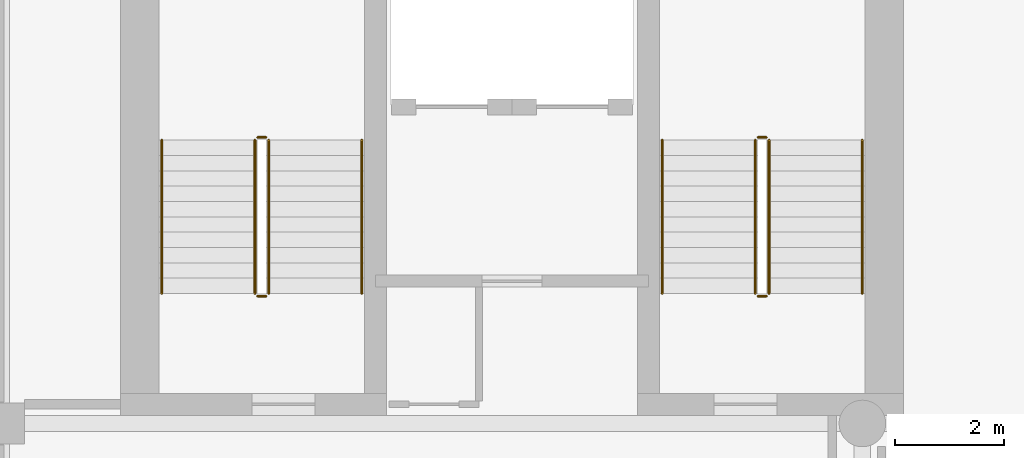
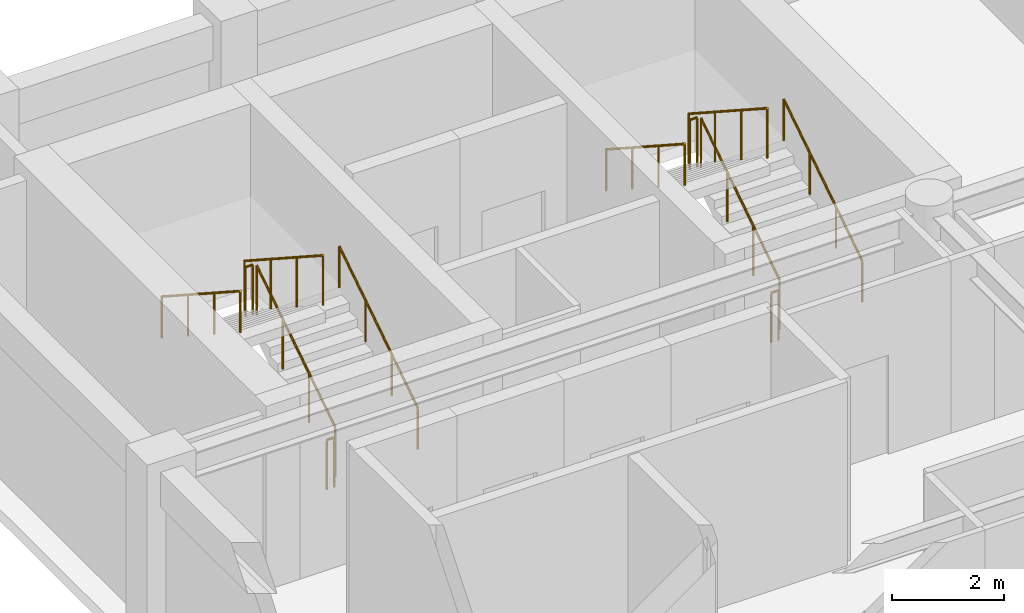
# One storey, part 7 of 8: 12 railings.
"""IFC4 building model written with IfcOpenShell, lengths in metres."""

from ifc_helpers import new_model, si_unit, direction, frame, origin, origin_2d, place, context, subcontext, project, spatial, circle, extrude, material, type_object, element, save


model = new_model("IFC4")

# Units and contexts
model_context = context("Model", 3, precision=1e-05, world=origin(), true_north=direction((0.0, 1.0)))
body_context = subcontext(model_context, "Body", "Model", "MODEL_VIEW")
ifc_project = project(units=[si_unit("LENGTHUNIT", "METRE"), si_unit("AREAUNIT", "SQUARE_METRE"), si_unit("VOLUMEUNIT", "CUBIC_METRE"), si_unit("PLANEANGLEUNIT", "RADIAN"), si_unit("MASSUNIT", "GRAM", prefix="KILO")], contexts=[model_context])

# Site, building, storey
site_placement = place(None, origin())
site = spatial("IfcSite", under=ifc_project, at=site_placement, CompositionType="ELEMENT")
building_placement = place(site_placement, origin())
building = spatial("IfcBuilding", under=site, at=building_placement, Name="Sulina Concourse Tower", CompositionType="ELEMENT")
storey_placement = place(building_placement, frame((0.0, 0.0, 264.60009765625)))
storey = spatial("IfcBuildingStorey", under=building, at=storey_placement, Name="L64", CompositionType="ELEMENT", Elevation=264.60009765625)

# Railings
ifc_material_1 = material(Name="Galvanised steel railing", Category="steel")
railing_type_1 = type_object("IfcRailingType", Name="Core Stair Steel Guardrail 1150mm", PredefinedType="GUARDRAIL", material=ifc_material_1)
railing_1_placement = place(storey_placement, frame((5.554931640625, 36.375, 0.181640625)))
element("IfcRailing", 1, at=railing_1_placement, inside=storey, type_object=railing_type_1, Name="L64 ST-1 stair guard 1", PredefinedType="GUARDRAIL", context=body_context, shape_type="SweptSolid", body=[
    extrude(circle(Radius=0.02392578125, at=origin_2d()), frame((0.0, 0.0, 1.076171875), z_axis=(0.0, 0.838672427954, 0.544636170843), x_axis=(-1.0, 0.0, 0.0)), (0.0, 0.0, 1.0), 3.338623046875),
    extrude(circle(Radius=0.02099609375, at=origin_2d()), origin(), (0.0, 0.0, 1.0), 1.052001953125),
    extrude(circle(Radius=0.02099609375, at=origin_2d()), frame((0.0, 0.933349609375, 0.606201171875)), (0.0, 0.0, 1.0), 1.052001953125),
    extrude(circle(Radius=0.02099609375, at=origin_2d()), frame((0.0, 1.86669921875, 1.212158203125)), (0.0, 0.0, 1.0), 1.052001953125),
    extrude(circle(Radius=0.02099609375, at=origin_2d()), frame((0.0, 2.800048828125, 1.818359375)), (0.0, 0.0, 1.0), 1.052001953125),
])
railing_2_placement = place(storey_placement, frame((5.5048828125, 39.22509765625, 2.0)))
element("IfcRailing", 2, at=railing_2_placement, inside=storey, type_object=railing_type_1, Name="L64 ST-1 stair guard 2", PredefinedType="GUARDRAIL", context=body_context, shape_type="SweptSolid", body=[
    extrude(circle(Radius=0.02392578125, at=origin_2d()), frame((0.0, 0.0, 1.076171875), z_axis=(-1.0, 0.0, 0.0), x_axis=(0.0, -1.0, 0.0)), (0.0, 0.0, 1.0), 0.14990234375),
    extrude(circle(Radius=0.02099609375, at=origin_2d()), origin(), (0.0, 0.0, 1.0), 1.052001953125),
    extrude(circle(Radius=0.02099609375, at=origin_2d()), frame((-0.14990234375, 0.0, 0.0)), (0.0, 0.0, 1.0), 1.052001953125),
])
railing_3_placement = place(storey_placement, frame((5.304931640625, 39.175048828125, 2.181640625)))
element("IfcRailing", 3, at=railing_3_placement, inside=storey, type_object=railing_type_1, Name="L64 ST-1 stair guard 3", PredefinedType="GUARDRAIL", context=body_context, shape_type="SweptSolid", body=[
    extrude(circle(Radius=0.02392578125, at=origin_2d()), frame((0.0, 0.0, 1.076171875), z_axis=(0.0, -0.838672427954, 0.544636170843), x_axis=(1.0, 0.0, 0.0)), (0.0, 0.0, 1.0), 3.338623046875),
    extrude(circle(Radius=0.02099609375, at=origin_2d()), origin(), (0.0, 0.0, 1.0), 1.052001953125),
    extrude(circle(Radius=0.02099609375, at=origin_2d()), frame((0.0, -0.933349609375, 0.606201171875)), (0.0, 0.0, 1.0), 1.052001953125),
    extrude(circle(Radius=0.02099609375, at=origin_2d()), frame((0.0, -1.86669921875, 1.212158203125)), (0.0, 0.0, 1.0), 1.052001953125),
    extrude(circle(Radius=0.02099609375, at=origin_2d()), frame((0.0, -2.800048828125, 1.818359375)), (0.0, 0.0, 1.0), 1.052001953125),
])
railing_4_placement = place(storey_placement, frame((5.5048828125, 36.324951171875, 0.0)))
element("IfcRailing", 4, at=railing_4_placement, inside=storey, type_object=railing_type_1, Name="L64 ST-1 stair guard 4", PredefinedType="GUARDRAIL", context=body_context, shape_type="SweptSolid", body=[
    extrude(circle(Radius=0.02392578125, at=origin_2d()), frame((0.0, 0.0, 1.076171875), z_axis=(-1.0, 0.0, 0.0), x_axis=(0.0, -1.0, 0.0)), (0.0, 0.0, 1.0), 0.14990234375),
    extrude(circle(Radius=0.02099609375, at=origin_2d()), origin(), (0.0, 0.0, 1.0), 1.052001953125),
    extrude(circle(Radius=0.02099609375, at=origin_2d()), frame((-0.14990234375, 0.0, 0.0)), (0.0, 0.0, 1.0), 1.052001953125),
])
railing_5_placement = place(storey_placement, frame((14.695068359375, 36.375, 0.181640625)))
element("IfcRailing", 5, at=railing_5_placement, inside=storey, type_object=railing_type_1, Name="L64 ST-2 stair guard 1", PredefinedType="GUARDRAIL", context=body_context, shape_type="SweptSolid", body=[
    extrude(circle(Radius=0.02392578125, at=origin_2d()), frame((0.0, 0.0, 1.076171875), z_axis=(0.0, 0.838672427954, 0.544636170843), x_axis=(-1.0, 0.0, 0.0)), (0.0, 0.0, 1.0), 3.338623046875),
    extrude(circle(Radius=0.02099609375, at=origin_2d()), origin(), (0.0, 0.0, 1.0), 1.052001953125),
    extrude(circle(Radius=0.02099609375, at=origin_2d()), frame((0.0, 0.933349609375, 0.606201171875)), (0.0, 0.0, 1.0), 1.052001953125),
    extrude(circle(Radius=0.02099609375, at=origin_2d()), frame((0.0, 1.86669921875, 1.212158203125)), (0.0, 0.0, 1.0), 1.052001953125),
    extrude(circle(Radius=0.02099609375, at=origin_2d()), frame((0.0, 2.800048828125, 1.818359375)), (0.0, 0.0, 1.0), 1.052001953125),
])
railing_6_placement = place(storey_placement, frame((14.64501953125, 39.22509765625, 2.0)))
element("IfcRailing", 6, at=railing_6_placement, inside=storey, type_object=railing_type_1, Name="L64 ST-2 stair guard 2", PredefinedType="GUARDRAIL", context=body_context, shape_type="SweptSolid", body=[
    extrude(circle(Radius=0.02392578125, at=origin_2d()), frame((0.0, 0.0, 1.076171875), z_axis=(-1.0, 0.0, 0.0), x_axis=(0.0, -1.0, 0.0)), (0.0, 0.0, 1.0), 0.14990234375),
    extrude(circle(Radius=0.02099609375, at=origin_2d()), origin(), (0.0, 0.0, 1.0), 1.052001953125),
    extrude(circle(Radius=0.02099609375, at=origin_2d()), frame((-0.14990234375, 0.0, 0.0)), (0.0, 0.0, 1.0), 1.052001953125),
])
railing_7_placement = place(storey_placement, frame((14.445068359375, 39.175048828125, 2.181640625)))
element("IfcRailing", 7, at=railing_7_placement, inside=storey, type_object=railing_type_1, Name="L64 ST-2 stair guard 3", PredefinedType="GUARDRAIL", context=body_context, shape_type="SweptSolid", body=[
    extrude(circle(Radius=0.02392578125, at=origin_2d()), frame((0.0, 0.0, 1.076171875), z_axis=(0.0, -0.838672427954, 0.544636170843), x_axis=(1.0, 0.0, 0.0)), (0.0, 0.0, 1.0), 3.338623046875),
    extrude(circle(Radius=0.02099609375, at=origin_2d()), origin(), (0.0, 0.0, 1.0), 1.052001953125),
    extrude(circle(Radius=0.02099609375, at=origin_2d()), frame((0.0, -0.933349609375, 0.606201171875)), (0.0, 0.0, 1.0), 1.052001953125),
    extrude(circle(Radius=0.02099609375, at=origin_2d()), frame((0.0, -1.86669921875, 1.212158203125)), (0.0, 0.0, 1.0), 1.052001953125),
    extrude(circle(Radius=0.02099609375, at=origin_2d()), frame((0.0, -2.800048828125, 1.818359375)), (0.0, 0.0, 1.0), 1.052001953125),
])
railing_8_placement = place(storey_placement, frame((14.64501953125, 36.324951171875, 0.0)))
element("IfcRailing", 8, at=railing_8_placement, inside=storey, type_object=railing_type_1, Name="L64 ST-2 stair guard 4", PredefinedType="GUARDRAIL", context=body_context, shape_type="SweptSolid", body=[
    extrude(circle(Radius=0.02392578125, at=origin_2d()), frame((0.0, 0.0, 1.076171875), z_axis=(-1.0, 0.0, 0.0), x_axis=(0.0, -1.0, 0.0)), (0.0, 0.0, 1.0), 0.14990234375),
    extrude(circle(Radius=0.02099609375, at=origin_2d()), origin(), (0.0, 0.0, 1.0), 1.052001953125),
    extrude(circle(Radius=0.02099609375, at=origin_2d()), frame((-0.14990234375, 0.0, 0.0)), (0.0, 0.0, 1.0), 1.052001953125),
])
ifc_material_2 = material(Name="Galvanised steel railing", Category="steel")
railing_type_2 = type_object("IfcRailingType", Name="Stair Wall Steel Handrail 920mm", PredefinedType="HANDRAIL", material=ifc_material_2)
railing_9_placement = place(storey_placement, frame((7.2548828125, 36.375, 0.181640625)))
element("IfcRailing", 9, at=railing_9_placement, inside=storey, type_object=railing_type_2, Name="L64 ST-1 stair handrail 1", PredefinedType="HANDRAIL", context=body_context, shape_type="SweptSolid", body=[
    extrude(circle(Radius=0.02392578125, at=origin_2d()), frame((0.0, 0.0, 0.89599609375), z_axis=(0.0, 0.838672427954, 0.544636170843), x_axis=(-1.0, 0.0, 0.0)), (0.0, 0.0, 1.0), 3.338623046875),
    extrude(circle(Radius=0.02099609375, at=origin_2d()), origin(), (0.0, 0.0, 1.0), 0.871826171875),
    extrude(circle(Radius=0.02099609375, at=origin_2d()), frame((0.0, 0.933349609375, 0.606201171875)), (0.0, 0.0, 1.0), 0.871826171875),
    extrude(circle(Radius=0.02099609375, at=origin_2d()), frame((0.0, 1.86669921875, 1.212158203125)), (0.0, 0.0, 1.0), 0.871826171875),
    extrude(circle(Radius=0.02099609375, at=origin_2d()), frame((0.0, 2.800048828125, 1.818359375)), (0.0, 0.0, 1.0), 0.871826171875),
])
railing_10_placement = place(storey_placement, frame((3.60498046875, 39.175048828125, 2.181640625)))
element("IfcRailing", 10, at=railing_10_placement, inside=storey, type_object=railing_type_2, Name="L64 ST-1 stair handrail 2", PredefinedType="HANDRAIL", context=body_context, shape_type="SweptSolid", body=[
    extrude(circle(Radius=0.02392578125, at=origin_2d()), frame((0.0, 0.0, 0.89599609375), z_axis=(0.0, -0.838672427954, 0.544636170843), x_axis=(1.0, 0.0, 0.0)), (0.0, 0.0, 1.0), 3.338623046875),
    extrude(circle(Radius=0.02099609375, at=origin_2d()), origin(), (0.0, 0.0, 1.0), 0.871826171875),
    extrude(circle(Radius=0.02099609375, at=origin_2d()), frame((0.0, -0.933349609375, 0.606201171875)), (0.0, 0.0, 1.0), 0.871826171875),
    extrude(circle(Radius=0.02099609375, at=origin_2d()), frame((0.0, -1.86669921875, 1.212158203125)), (0.0, 0.0, 1.0), 0.871826171875),
    extrude(circle(Radius=0.02099609375, at=origin_2d()), frame((0.0, -2.800048828125, 1.818359375)), (0.0, 0.0, 1.0), 0.871826171875),
])
railing_11_placement = place(storey_placement, frame((16.39501953125, 36.375, 0.181640625)))
element("IfcRailing", 11, at=railing_11_placement, inside=storey, type_object=railing_type_2, Name="L64 ST-2 stair handrail 1", PredefinedType="HANDRAIL", context=body_context, shape_type="SweptSolid", body=[
    extrude(circle(Radius=0.02392578125, at=origin_2d()), frame((0.0, 0.0, 0.89599609375), z_axis=(0.0, 0.838672427954, 0.544636170843), x_axis=(-1.0, 0.0, 0.0)), (0.0, 0.0, 1.0), 3.338623046875),
    extrude(circle(Radius=0.02099609375, at=origin_2d()), origin(), (0.0, 0.0, 1.0), 0.871826171875),
    extrude(circle(Radius=0.02099609375, at=origin_2d()), frame((0.0, 0.933349609375, 0.606201171875)), (0.0, 0.0, 1.0), 0.871826171875),
    extrude(circle(Radius=0.02099609375, at=origin_2d()), frame((0.0, 1.86669921875, 1.212158203125)), (0.0, 0.0, 1.0), 0.871826171875),
    extrude(circle(Radius=0.02099609375, at=origin_2d()), frame((0.0, 2.800048828125, 1.818359375)), (0.0, 0.0, 1.0), 0.871826171875),
])
railing_12_placement = place(storey_placement, frame((12.7451171875, 39.175048828125, 2.181640625)))
element("IfcRailing", 12, at=railing_12_placement, inside=storey, type_object=railing_type_2, Name="L64 ST-2 stair handrail 2", PredefinedType="HANDRAIL", context=body_context, shape_type="SweptSolid", body=[
    extrude(circle(Radius=0.02392578125, at=origin_2d()), frame((0.0, 0.0, 0.89599609375), z_axis=(0.0, -0.838672427954, 0.544636170843), x_axis=(1.0, 0.0, 0.0)), (0.0, 0.0, 1.0), 3.338623046875),
    extrude(circle(Radius=0.02099609375, at=origin_2d()), origin(), (0.0, 0.0, 1.0), 0.871826171875),
    extrude(circle(Radius=0.02099609375, at=origin_2d()), frame((0.0, -0.933349609375, 0.606201171875)), (0.0, 0.0, 1.0), 0.871826171875),
    extrude(circle(Radius=0.02099609375, at=origin_2d()), frame((0.0, -1.86669921875, 1.212158203125)), (0.0, 0.0, 1.0), 0.871826171875),
    extrude(circle(Radius=0.02099609375, at=origin_2d()), frame((0.0, -2.800048828125, 1.818359375)), (0.0, 0.0, 1.0), 0.871826171875),
])

save(model, "model.ifc")
